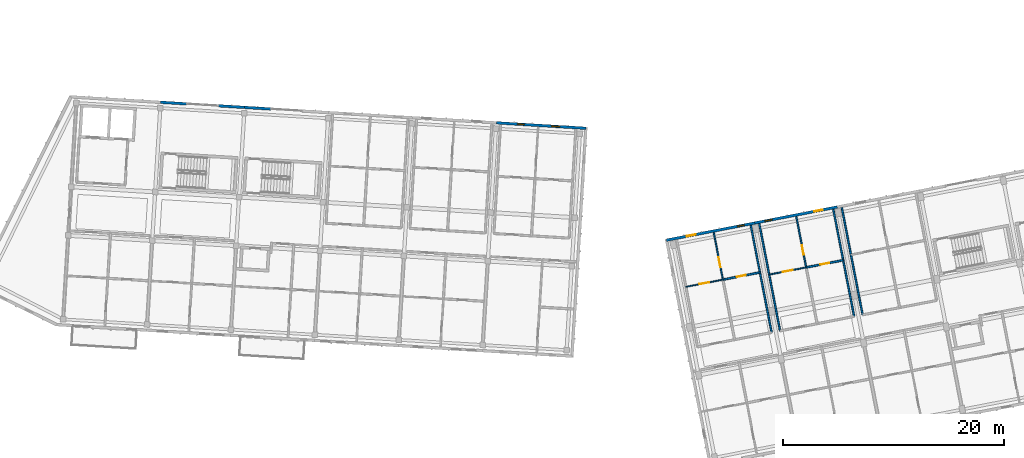
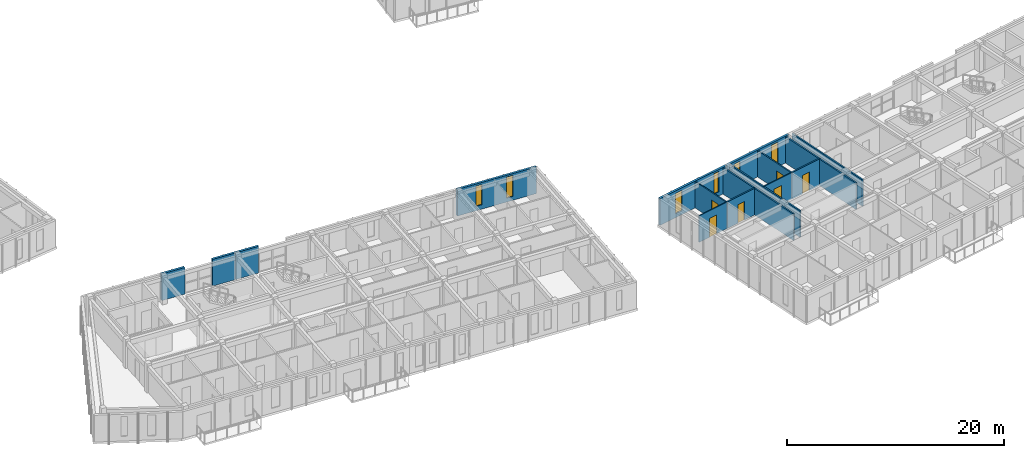
# One storey, part 29 of 66: 16 walls, 6 doors, 6 windows, 12 openings.
"""IFC4 building model written with IfcOpenShell, lengths in metres."""

from ifc_helpers import new_model, si_unit, direction, frame, frame_2d, origin, place, context, subcontext, project, spatial, rectangle, extrude, material, layer, layer_set, type_object, element, fill, save


model = new_model("IFC4")

# Units and contexts
model_context = context("Model", 3, precision=1e-05, world=origin(), true_north=direction((0.0, 1.0)))
body_context = subcontext(model_context, "Body", "Model", "MODEL_VIEW")
ifc_project = project(units=[si_unit("LENGTHUNIT", "METRE"), si_unit("AREAUNIT", "SQUARE_METRE"), si_unit("VOLUMEUNIT", "CUBIC_METRE"), si_unit("PLANEANGLEUNIT", "RADIAN"), si_unit("MASSUNIT", "GRAM", prefix="KILO")], contexts=[model_context])

# Site, building, storey
site_placement = place(None, origin())
site = spatial("IfcSite", under=ifc_project, at=site_placement, CompositionType="ELEMENT")
building_placement = place(site_placement, origin())
building = spatial("IfcBuilding", under=site, at=building_placement, Name="Kestramere Prow Commons", CompositionType="ELEMENT")
storey_placement = place(building_placement, frame((0.0, 0.0, 14.89990234375)))
storey = spatial("IfcBuildingStorey", under=building, at=storey_placement, Name="L04", CompositionType="ELEMENT", Elevation=14.89990234375)

# Walls
ifc_material_1 = material(Name="Fluoropolymer Standing-Seam Zinc-Aluminium Cladding", Category="aluminium")
ifc_layer_1 = layer(ifc_material_1, 0.239990234375)
ifc_layer_set_1 = layer_set([ifc_layer_1], Name="Fluoropolymer Standing-Seam Zinc-Aluminium Cladding")
wall_type_1 = type_object("IfcWallType", Name="EW-SEAM-240", PredefinedType="SOLIDWALL", material=ifc_layer_set_1)
wall_1_placement = place(storey_placement, frame((68.314453125, 66.12353515625, 0.0), z_axis=(0.0, 0.0, 1.0), x_axis=(0.998134103342, -0.061059902923, 0.0)))
element("IfcWall", 1, at=wall_1_placement, inside=storey, type_object=wall_type_1, Name="Block C L04 North Standing-Seam Pier 2L", PredefinedType="SOLIDWALL", context=body_context, shape_type="SweptSolid", body=[
    extrude(rectangle(XDim=2.375, YDim=0.239990234375, at=frame_2d((1.1875, 0.0))), origin(), (0.0, 0.0, 1.0), 3.0),
])
wall_2_placement = place(storey_placement, frame((73.52978515625, 65.804443359375, 0.0), z_axis=(0.0, 0.0, 1.0), x_axis=(0.998133720034, -0.061066168473, 0.0)))
element("IfcWall", 2, at=wall_2_placement, inside=storey, type_object=wall_type_1, Name="Block C L04 North Standing-Seam Pier 2R", PredefinedType="SOLIDWALL", context=body_context, shape_type="SweptSolid", body=[
    extrude(rectangle(XDim=2.374755859375, YDim=0.239990234375, at=frame_2d((1.1875, 0.0))), origin(), (0.0, 0.0, 1.0), 3.0),
])
wall_3_placement = place(storey_placement, frame((75.900146484375, 65.659423828125, 0.0), z_axis=(0.0, 0.0, 1.0), x_axis=(0.998140363035, -0.06095749076, 0.0)))
element("IfcWall", 3, at=wall_3_placement, inside=storey, type_object=wall_type_1, Name="Block C L04 North Standing-Seam Pier 3L", PredefinedType="SOLIDWALL", context=body_context, shape_type="SweptSolid", body=[
    extrude(rectangle(XDim=2.375, YDim=0.239990234375, at=frame_2d((1.1875, 0.0))), origin(), (0.0, 0.0, 1.0), 3.0),
])

# Wall, openings, windows
wall_4_placement = place(storey_placement, frame((98.65771484375, 64.267578125, 0.0), z_axis=(0.0, 0.0, 1.0), x_axis=(0.998134248939, -0.061057522844, 0.0)))
wall_4 = element("IfcWall", 4, at=wall_4_placement, inside=storey, type_object=wall_type_1, Name="Block C L04 North Standing-Seam Wall 6", PredefinedType="SOLIDWALL", context=body_context, shape_type="SweptSolid", body=[
    extrude(rectangle(XDim=8.125, YDim=0.239990234375, at=frame_2d((4.0625, 0.0))), origin(), (0.0, 0.0, 1.0), 3.0),
])
opening_1_placement = place(wall_4_placement, frame((1.90087890625, 0.0, 0.5)))
opening_1 = element("IfcOpeningElement", 5, at=opening_1_placement, cuts=wall_4, Name="Opening WN-03", PredefinedType="OPENING", context=body_context, shape_type="SweptSolid", body=[
    extrude(rectangle(XDim=0.6201171875, YDim=2.280029296875, at=frame_2d((0.31005859375, 1.14013671875))), frame((0.0, 0.135009765625, 0.0), z_axis=(0.0, -1.0, 0.0), x_axis=(1.0, 0.0, 0.0)), (0.0, 0.0, 1.0), 0.27001953125),
])
opening_2_placement = place(wall_4_placement, frame((5.029541015625, 0.0, 0.43994140625)))
opening_2 = element("IfcOpeningElement", 6, at=opening_2_placement, cuts=wall_4, Name="Opening WN-07", PredefinedType="OPENING", context=body_context, shape_type="SweptSolid", body=[
    extrude(rectangle(XDim=0.699951171875, YDim=2.360107421875, at=frame_2d((0.35009765625, 1.18017578125))), frame((0.0, 0.135009765625, 0.0), z_axis=(0.0, -1.0, 0.0), x_axis=(1.0, 0.0, 0.0)), (0.0, 0.0, 1.0), 0.27001953125),
])
ifc_material_2 = material(Name="Low-E Laminated Double Glazing", Category="glass")
window_type_1 = type_object("IfcWindowType", Name="WN-NAR-620A", PartitioningType="SINGLE_PANEL", PredefinedType="WINDOW", material=ifc_material_2)
window_1_placement = place(opening_1_placement, origin())
window_1 = element("IfcWindow", 7, at=window_1_placement, inside=storey, type_object=window_type_1, Name="WN-C-L04-N-5-0", OverallHeight=2.280029296875, OverallWidth=0.6201171875, PartitioningType="SINGLE_PANEL", PredefinedType="WINDOW", context=body_context, shape_type="SweptSolid", body=[
    extrude(rectangle(XDim=0.6201171875, YDim=2.280029296875, at=frame_2d((0.31005859375, 1.14013671875))), frame((0.0, 0.030029296875, 0.0), z_axis=(0.0, -1.0, 0.0), x_axis=(1.0, 0.0, 0.0)), (0.0, 0.0, 1.0), 0.06005859375),
])
fill(opening_1, window_1)
window_type_2 = type_object("IfcWindowType", Name="WN-NAR-700A", PartitioningType="SINGLE_PANEL", PredefinedType="WINDOW", material=ifc_material_2)
window_2_placement = place(opening_2_placement, origin())
window_2 = element("IfcWindow", 8, at=window_2_placement, inside=storey, type_object=window_type_2, Name="WN-C-L04-N-5-1", OverallHeight=2.360107421875, OverallWidth=0.699951171875, PartitioningType="SINGLE_PANEL", PredefinedType="WINDOW", context=body_context, shape_type="SweptSolid", body=[
    extrude(rectangle(XDim=0.699951171875, YDim=2.360107421875, at=frame_2d((0.35009765625, 1.18017578125))), frame((0.0, 0.030029296875, 0.0), z_axis=(0.0, -1.0, 0.0), x_axis=(1.0, 0.0, 0.0)), (0.0, 0.0, 1.0), 0.06005859375),
])
fill(opening_2, window_2)

wall_5_placement = place(storey_placement, frame((114.044677734375, 53.655029296875, 0.0), z_axis=(0.0, 0.0, 1.0), x_axis=(0.981627273155, 0.190808533872, 0.0)))
wall_5 = element("IfcWall", 9, at=wall_5_placement, inside=storey, type_object=wall_type_1, Name="Block D L04 North Standing-Seam Wall 1", PredefinedType="SOLIDWALL", context=body_context, shape_type="SweptSolid", body=[
    extrude(rectangle(XDim=8.124755859375, YDim=0.239990234375, at=frame_2d((4.0625, 0.0))), origin(), (0.0, 0.0, 1.0), 3.0),
])
opening_3_placement = place(wall_5_placement, frame((1.84912109375, 0.0, 0.43994140625)))
opening_3 = element("IfcOpeningElement", 10, at=opening_3_placement, cuts=wall_5, Name="Opening WN-14", PredefinedType="OPENING", context=body_context, shape_type="SweptSolid", body=[
    extrude(rectangle(XDim=0.840087890625, YDim=2.280029296875, at=frame_2d((0.419921875, 1.14013671875))), frame((0.0, 0.135009765625, 0.0), z_axis=(0.0, -1.0, 0.0), x_axis=(1.0, 0.0, 0.0)), (0.0, 0.0, 1.0), 0.27001953125),
])
opening_4_placement = place(wall_5_placement, frame((6.5380859375, 0.0, 0.5)))
opening_4 = element("IfcOpeningElement", 11, at=opening_4_placement, cuts=wall_5, Name="Opening WN-03", PredefinedType="OPENING", context=body_context, shape_type="SweptSolid", body=[
    extrude(rectangle(XDim=0.6201171875, YDim=2.280029296875, at=frame_2d((0.31005859375, 1.14013671875))), frame((0.0, 0.135009765625, 0.0), z_axis=(0.0, -1.0, 0.0), x_axis=(1.0, 0.0, 0.0)), (0.0, 0.0, 1.0), 0.27001953125),
])
window_3_placement = place(opening_4_placement, origin())
window_3 = element("IfcWindow", 12, at=window_3_placement, inside=storey, type_object=window_type_1, Name="WN-D-L04-N-0-1", OverallHeight=2.280029296875, OverallWidth=0.6201171875, PartitioningType="SINGLE_PANEL", PredefinedType="WINDOW", context=body_context, shape_type="SweptSolid", body=[
    extrude(rectangle(XDim=0.6201171875, YDim=2.280029296875, at=frame_2d((0.31005859375, 1.14013671875))), frame((0.0, 0.030029296875, 0.0), z_axis=(0.0, -1.0, 0.0), x_axis=(1.0, 0.0, 0.0)), (0.0, 0.0, 1.0), 0.06005859375),
])
fill(opening_4, window_3)
window_type_3 = type_object("IfcWindowType", Name="WN-NAR-840A", PartitioningType="DOUBLE_PANEL_VERTICAL", PredefinedType="WINDOW", material=ifc_material_2)
window_4_placement = place(opening_3_placement, origin())
window_4 = element("IfcWindow", 13, at=window_4_placement, inside=storey, type_object=window_type_3, Name="WN-D-L04-N-0-0", OverallHeight=2.280029296875, OverallWidth=0.840087890625, PartitioningType="SINGLE_PANEL", PredefinedType="WINDOW", context=body_context, shape_type="SweptSolid", body=[
    extrude(rectangle(XDim=0.840087890625, YDim=2.280029296875, at=frame_2d((0.419921875, 1.14013671875))), frame((0.0, 0.030029296875, 0.0), z_axis=(0.0, -1.0, 0.0), x_axis=(1.0, 0.0, 0.0)), (0.0, 0.0, 1.0), 0.06005859375),
])
fill(opening_3, window_4)

wall_6_placement = place(storey_placement, frame((122.020263671875, 55.205322265625, 0.0), z_axis=(0.0, 0.0, 1.0), x_axis=(0.981626422232, 0.190812911449, 0.0)))
wall_6 = element("IfcWall", 14, at=wall_6_placement, inside=storey, type_object=wall_type_1, Name="Block D L04 North Standing-Seam Wall 2", PredefinedType="SOLIDWALL", context=body_context, shape_type="SweptSolid", body=[
    extrude(rectangle(XDim=7.60009765625, YDim=0.239990234375, at=frame_2d((3.800048828125, 0.0))), origin(), (0.0, 0.0, 1.0), 3.0),
])
opening_5_placement = place(wall_6_placement, frame((0.921630859375, 0.0, 0.5)))
opening_5 = element("IfcOpeningElement", 15, at=opening_5_placement, cuts=wall_6, Name="Opening WN-06", PredefinedType="OPENING", context=body_context, shape_type="SweptSolid", body=[
    extrude(rectangle(XDim=0.679931640625, YDim=2.239990234375, at=frame_2d((0.33984375, 1.1201171875))), frame((0.0, 0.135009765625, 0.0), z_axis=(0.0, -1.0, 0.0), x_axis=(1.0, 0.0, 0.0)), (0.0, 0.0, 1.0), 0.27001953125),
])
opening_6_placement = place(wall_6_placement, frame((5.47607421875, 0.0, 0.43994140625)))
opening_6 = element("IfcOpeningElement", 16, at=opening_6_placement, cuts=wall_6, Name="Opening WN-10", PredefinedType="OPENING", context=body_context, shape_type="SweptSolid", body=[
    extrude(rectangle(XDim=0.760009765625, YDim=2.340087890625, at=frame_2d((0.3798828125, 1.169921875))), frame((0.0, 0.135009765625, 0.0), z_axis=(0.0, -1.0, 0.0), x_axis=(1.0, 0.0, 0.0)), (0.0, 0.0, 1.0), 0.27001953125),
])
window_type_4 = type_object("IfcWindowType", Name="WN-NAR-680A", PartitioningType="SINGLE_PANEL", PredefinedType="WINDOW", material=ifc_material_2)
window_5_placement = place(opening_5_placement, origin())
window_5 = element("IfcWindow", 17, at=window_5_placement, inside=storey, type_object=window_type_4, Name="WN-D-L04-N-1-0", OverallHeight=2.239990234375, OverallWidth=0.679931640625, PartitioningType="SINGLE_PANEL", PredefinedType="WINDOW", context=body_context, shape_type="SweptSolid", body=[
    extrude(rectangle(XDim=0.679931640625, YDim=2.239990234375, at=frame_2d((0.33984375, 1.1201171875))), frame((0.0, 0.030029296875, 0.0), z_axis=(0.0, -1.0, 0.0), x_axis=(1.0, 0.0, 0.0)), (0.0, 0.0, 1.0), 0.06005859375),
])
fill(opening_5, window_5)
window_type_5 = type_object("IfcWindowType", Name="WN-NAR-760A", PartitioningType="SINGLE_PANEL", PredefinedType="WINDOW", material=ifc_material_2)
window_6_placement = place(opening_6_placement, origin())
window_6 = element("IfcWindow", 18, at=window_6_placement, inside=storey, type_object=window_type_5, Name="WN-D-L04-N-1-1", OverallHeight=2.340087890625, OverallWidth=0.760009765625, PartitioningType="SINGLE_PANEL", PredefinedType="WINDOW", context=body_context, shape_type="SweptSolid", body=[
    extrude(rectangle(XDim=0.760009765625, YDim=2.340087890625, at=frame_2d((0.3798828125, 1.169921875))), frame((0.0, 0.030029296875, 0.0), z_axis=(0.0, -1.0, 0.0), x_axis=(1.0, 0.0, 0.0)), (0.0, 0.0, 1.0), 0.06005859375),
])
fill(opening_6, window_6)

# Wall, opening, door
ifc_material_3 = material(Name="Gypsum Acoustic Drywall")
ifc_layer_2 = layer(ifc_material_3, 0.10009765625)
ifc_layer_set_2 = layer_set([ifc_layer_2], Name="Gypsum Acoustic Drywall")
wall_type_2 = type_object("IfcWallType", Name="W-PART-100", PredefinedType="PARTITIONING", material=ifc_layer_set_2)
wall_7_placement = place(storey_placement, frame((115.796630859375, 49.436767578125, 0.0), z_axis=(0.0, 0.0, 1.0), x_axis=(0.981615762271, 0.19086774285, 0.0)))
wall_7 = element("IfcWall", 19, at=wall_7_placement, inside=storey, type_object=wall_type_2, Name="Interior Partition PW-D-L04-MIDN1-0", PredefinedType="PARTITIONING", context=body_context, shape_type="SweptSolid", body=[
    extrude(rectangle(XDim=3.41015625, YDim=0.10009765625, at=frame_2d((1.705078125, 0.0))), origin(), (0.0, 0.0, 1.0), 2.97021484375),
])
opening_7_placement = place(wall_7_placement, frame((1.2548828125, 0.0, 0.0)))
opening_7 = element("IfcOpeningElement", 20, at=opening_7_placement, cuts=wall_7, Name="Opening ID-10", PredefinedType="OPENING", context=body_context, shape_type="SweptSolid", body=[
    extrude(rectangle(XDim=0.8798828125, YDim=2.10009765625, at=frame_2d((0.43994140625, 1.050048828125))), frame((0.0, 0.06494140625, 0.0), z_axis=(0.0, -1.0, 0.0), x_axis=(1.0, 0.0, 0.0)), (0.0, 0.0, 1.0), 0.130126953125),
])
ifc_material_4 = material(Name="Engineered Timber Bedroom Door", Category="wood")
door_type_1 = type_object("IfcDoorType", Name="D-RM-03", OperationType="NOTDEFINED", PredefinedType="DOOR", material=ifc_material_4)
door_1_placement = place(opening_7_placement, origin())
door_1 = element("IfcDoor", 21, at=door_1_placement, inside=storey, type_object=door_type_1, Name="Interior Door DR-D-L04-KL-N0", OperationType="SINGLE_SWING_LEFT", OverallHeight=2.10009765625, OverallWidth=0.8798828125, PredefinedType="DOOR", context=body_context, shape_type="SweptSolid", body=[
    extrude(rectangle(XDim=0.8798828125, YDim=2.10009765625, at=frame_2d((0.43994140625, 1.050048828125))), frame((0.0, 0.02490234375, 0.0), z_axis=(0.0, -1.0, 0.0), x_axis=(1.0, 0.0, 0.0)), (0.0, 0.0, 1.0), 0.050048828125),
])
fill(opening_7, door_1)

ifc_layer_3 = layer(ifc_material_3, 0.110107421875)
ifc_layer_set_3 = layer_set([ifc_layer_3], Name="Gypsum Acoustic Drywall")
wall_type_3 = type_object("IfcWallType", Name="W-PART-110", PredefinedType="PARTITIONING", material=ifc_layer_set_3)
wall_8_placement = place(storey_placement, frame((123.32373046875, 50.54345703125, 0.0), z_axis=(0.0, 0.0, 1.0), x_axis=(0.981629173664, 0.190798756314, 0.0)))
wall_8 = element("IfcWall", 22, at=wall_8_placement, inside=storey, type_object=wall_type_3, Name="Interior Partition PW-D-L04-MIDN1-1", PredefinedType="PARTITIONING", context=body_context, shape_type="SweptSolid", body=[
    extrude(rectangle(XDim=3.41015625, YDim=0.110107421875, at=frame_2d((1.705078125, 0.0))), origin(), (0.0, 0.0, 1.0), 2.97021484375),
])
opening_8_placement = place(wall_8_placement, frame((1.2548828125, 0.0, 0.0)))
opening_8 = element("IfcOpeningElement", 23, at=opening_8_placement, cuts=wall_8, Name="Opening ID-08", PredefinedType="OPENING", context=body_context, shape_type="SweptSolid", body=[
    extrude(rectangle(XDim=0.89990234375, YDim=2.10009765625, at=frame_2d((0.449951171875, 1.050048828125))), frame((0.0, 0.070068359375, 0.0), z_axis=(0.0, -1.0, 0.0), x_axis=(1.0, 0.0, 0.0)), (0.0, 0.0, 1.0), 0.14013671875),
])
ifc_material_5 = material(Name="Engineered Timber Flush Door", Category="wood")
door_type_2 = type_object("IfcDoorType", Name="D-RM-01", OperationType="NOTDEFINED", PredefinedType="DOOR", material=ifc_material_5)
door_2_placement = place(opening_8_placement, origin())
door_2 = element("IfcDoor", 24, at=door_2_placement, inside=storey, type_object=door_type_2, Name="Interior Door DR-D-L04-KL-N1", OperationType="SINGLE_SWING_LEFT", OverallHeight=2.10009765625, OverallWidth=0.89990234375, PredefinedType="DOOR", context=body_context, shape_type="SweptSolid", body=[
    extrude(rectangle(XDim=0.89990234375, YDim=2.10009765625, at=frame_2d((0.449951171875, 1.050048828125))), frame((0.0, 0.02490234375, 0.0), z_axis=(0.0, -1.0, 0.0), x_axis=(1.0, 0.0, 0.0)), (0.0, 0.0, 1.0), 0.050048828125),
])
fill(opening_8, door_2)

ifc_material_6 = material(Name="Lightweight Blockwork and Plaster", Category="masonry")
ifc_layer_4 = layer(ifc_material_6, 0.1201171875)
ifc_layer_set_4 = layer_set([ifc_layer_4], Name="Lightweight Blockwork and Plaster")
wall_type_4 = type_object("IfcWallType", Name="W-PART-120", PredefinedType="PARTITIONING", material=ifc_layer_set_4)
wall_9_placement = place(storey_placement, frame((119.14404296875, 50.087646484375, 0.0), z_axis=(0.0, 0.0, 1.0), x_axis=(-0.190812443151, 0.981626513262, 0.0)))
wall_9 = element("IfcWall", 25, at=wall_9_placement, inside=storey, type_object=wall_type_4, Name="Interior Partition PW-D-L04-LB-N0", PredefinedType="PARTITIONING", context=body_context, shape_type="SweptSolid", body=[
    extrude(rectangle(XDim=4.340087890625, YDim=0.1201171875, at=frame_2d((2.169921875, 0.0))), origin(), (0.0, 0.0, 1.0), 2.97021484375),
])
opening_9_placement = place(wall_9_placement, frame((1.14990234375, 0.0, 0.0)))
opening_9 = element("IfcOpeningElement", 26, at=opening_9_placement, cuts=wall_9, Name="Opening ID-08", PredefinedType="OPENING", context=body_context, shape_type="SweptSolid", body=[
    extrude(rectangle(XDim=0.89990234375, YDim=2.10009765625, at=frame_2d((0.449951171875, 1.050048828125))), frame((0.0, 0.074951171875, 0.0), z_axis=(0.0, -1.0, 0.0), x_axis=(1.0, 0.0, 0.0)), (0.0, 0.0, 1.0), 0.150146484375),
])
door_3_placement = place(opening_9_placement, origin())
door_3 = element("IfcDoor", 27, at=door_3_placement, inside=storey, type_object=door_type_2, Name="Interior Door DR-D-L04-BED-N0", OperationType="SINGLE_SWING_LEFT", OverallHeight=2.10009765625, OverallWidth=0.89990234375, PredefinedType="DOOR", context=body_context, shape_type="SweptSolid", body=[
    extrude(rectangle(XDim=0.89990234375, YDim=2.10009765625, at=frame_2d((0.449951171875, 1.050048828125))), frame((0.0, 0.02490234375, 0.0), z_axis=(0.0, -1.0, 0.0), x_axis=(1.0, 0.0, 0.0)), (0.0, 0.0, 1.0), 0.050048828125),
])
fill(opening_9, door_3)

ifc_layer_5 = layer(ifc_material_6, 0.1298828125)
ifc_layer_set_5 = layer_set([ifc_layer_5], Name="Lightweight Blockwork and Plaster")
wall_type_5 = type_object("IfcWallType", Name="W-PART-130", PredefinedType="PARTITIONING", material=ifc_layer_set_5)
wall_10_placement = place(storey_placement, frame((126.671142578125, 51.194091796875, 0.0), z_axis=(0.0, 0.0, 1.0), x_axis=(-0.190787451574, 0.981631370893, 0.0)))
wall_10 = element("IfcWall", 28, at=wall_10_placement, inside=storey, type_object=wall_type_5, Name="Interior Partition PW-D-L04-LB-N1", PredefinedType="PARTITIONING", context=body_context, shape_type="SweptSolid", body=[
    extrude(rectangle(XDim=4.68994140625, YDim=0.1298828125, at=frame_2d((2.344970703125, 0.0))), origin(), (0.0, 0.0, 1.0), 2.97021484375),
])
opening_10_placement = place(wall_10_placement, frame((1.14990234375, 0.0, 0.0)))
opening_10 = element("IfcOpeningElement", 29, at=opening_10_placement, cuts=wall_10, Name="Opening ID-10", PredefinedType="OPENING", context=body_context, shape_type="SweptSolid", body=[
    extrude(rectangle(XDim=0.8798828125, YDim=2.10009765625, at=frame_2d((0.43994140625, 1.050048828125))), frame((0.0, 0.079833984375, 0.0), z_axis=(0.0, -1.0, 0.0), x_axis=(1.0, 0.0, 0.0)), (0.0, 0.0, 1.0), 0.159912109375),
])
door_4_placement = place(opening_10_placement, origin())
door_4 = element("IfcDoor", 30, at=door_4_placement, inside=storey, type_object=door_type_1, Name="Interior Door DR-D-L04-BED-N1", OperationType="SINGLE_SWING_LEFT", OverallHeight=2.10009765625, OverallWidth=0.8798828125, PredefinedType="DOOR", context=body_context, shape_type="SweptSolid", body=[
    extrude(rectangle(XDim=0.8798828125, YDim=2.10009765625, at=frame_2d((0.43994140625, 1.050048828125))), frame((0.0, 0.02490234375, 0.0), z_axis=(0.0, -1.0, 0.0), x_axis=(1.0, 0.0, 0.0)), (0.0, 0.0, 1.0), 0.050048828125),
])
fill(opening_10, door_4)

# Walls
ifc_material_7 = material(Name="Masonry Compartment Wall", Category="masonry")
ifc_layer_6 = layer(ifc_material_7, 0.14990234375)
ifc_layer_set_6 = layer_set([ifc_layer_6], Name="Masonry Compartment Wall")
wall_type_6 = type_object("IfcWallType", Name="W-PART-150", PredefinedType="PARTITIONING", material=ifc_layer_set_6)
wall_11_placement = place(storey_placement, frame((123.546630859375, 45.309814453125, 0.0), z_axis=(0.0, 0.0, 1.0), x_axis=(-0.190809410863, 0.981627102685, 0.0)))
element("IfcWall", 31, at=wall_11_placement, inside=storey, type_object=wall_type_6, Name="Interior Partition PW-D-L04-NWR-0", PredefinedType="PARTITIONING", context=body_context, shape_type="SweptSolid", body=[
    extrude(rectangle(XDim=9.8701171875, YDim=0.14990234375, at=frame_2d((4.93505859375, 0.0))), origin(), (0.0, 0.0, 1.0), 2.97021484375),
])
wall_12_placement = place(storey_placement, frame((124.312255859375, 45.458740234375, 0.0), z_axis=(0.0, 0.0, 1.0), x_axis=(-0.190814044018, 0.981626202078, 0.0)))
element("IfcWall", 32, at=wall_12_placement, inside=storey, type_object=wall_type_6, Name="Interior Partition PW-D-L04-NWL-1", PredefinedType="PARTITIONING", context=body_context, shape_type="SweptSolid", body=[
    extrude(rectangle(XDim=9.869873046875, YDim=0.14990234375, at=frame_2d((4.93505859375, 0.0))), origin(), (0.0, 0.0, 1.0), 2.97021484375),
])
for number, where, z_axis, x_axis, name in (
    (33, (131.0068359375, 46.760009765625, 0.0), (0.0, 0.0, 1.0), (-0.190809410863, 0.981627102685, 0.0), "Interior Partition PW-D-L04-NWR-1"),
    (34, (131.7724609375, 46.90869140625, 0.0), (0.0, 0.0, 1.0), (-0.1907855758, 0.981631735462, 0.0), "Interior Partition PW-D-L04-NWL-2"),
):
    element("IfcWall", number, at=place(storey_placement, frame(where, z_axis=z_axis, x_axis=x_axis)), inside=storey, type_object=wall_type_6, Name=name, PredefinedType="PARTITIONING", context=body_context, shape_type="SweptSolid", body=[
        extrude(rectangle(XDim=9.8701171875, YDim=0.14990234375, at=frame_2d((4.93505859375, 0.0))), origin(), (0.0, 0.0, 1.0), 2.97021484375),
    ])

# Wall, opening, door
ifc_material_8 = material(Name="Waterproof Sanitary Masonry Wall", Category="masonry")
ifc_layer_7 = layer(ifc_material_8, 0.1650390625)
ifc_layer_set_7 = layer_set([ifc_layer_7], Name="Waterproof Sanitary Masonry Wall")
wall_type_7 = type_object("IfcWallType", Name="W-PLUMB-150", PredefinedType="PLUMBINGWALL", material=ifc_layer_set_7)
wall_13_placement = place(storey_placement, frame((119.14404296875, 50.087646484375, 0.0), z_axis=(0.0, 0.0, 1.0), x_axis=(0.981629173664, 0.190798756314, 0.0)))
wall_13 = element("IfcWall", 35, at=wall_13_placement, inside=storey, type_object=wall_type_7, Name="Interior Partition PW-D-L04-MIDN2-0", PredefinedType="PLUMBINGWALL", context=body_context, shape_type="SweptSolid", body=[
    extrude(rectangle(XDim=3.41015625, YDim=0.1650390625, at=frame_2d((1.705078125, 0.0))), origin(), (0.0, 0.0, 1.0), 2.97021484375),
])
opening_11_placement = place(wall_13_placement, frame((1.294921875, 0.0, 0.0)))
opening_11 = element("IfcOpeningElement", 36, at=opening_11_placement, cuts=wall_13, Name="Opening ID-11", PredefinedType="OPENING", context=body_context, shape_type="SweptSolid", body=[
    extrude(rectangle(XDim=0.820068359375, YDim=2.080078125, at=frame_2d((0.41015625, 1.0400390625))), frame((0.0, 0.097412109375, 0.0), z_axis=(0.0, -1.0, 0.0), x_axis=(1.0, 0.0, 0.0)), (0.0, 0.0, 1.0), 0.195068359375),
])
ifc_material_9 = material(Name="Moisture-Resistant Timber Bathroom Door", Category="wood")
door_type_3 = type_object("IfcDoorType", Name="D-BT-01", OperationType="NOTDEFINED", PredefinedType="DOOR", material=ifc_material_9)
door_5_placement = place(opening_11_placement, origin())
door_5 = element("IfcDoor", 37, at=door_5_placement, inside=storey, type_object=door_type_3, Name="Interior Door DR-D-L04-BTH-N0", OperationType="SINGLE_SWING_RIGHT", OverallHeight=2.080078125, OverallWidth=0.820068359375, PredefinedType="DOOR", context=body_context, shape_type="SweptSolid", body=[
    extrude(rectangle(XDim=0.820068359375, YDim=2.080078125, at=frame_2d((0.41015625, 1.0400390625))), frame((0.0, 0.02490234375, 0.0), z_axis=(0.0, -1.0, 0.0), x_axis=(1.0, 0.0, 0.0)), (0.0, 0.0, 1.0), 0.050048828125),
])
fill(opening_11, door_5)

wall_14_placement = place(storey_placement, frame((126.671142578125, 51.194091796875, 0.0), z_axis=(0.0, 0.0, 1.0), x_axis=(0.981629173664, 0.190798756314, 0.0)))
wall_14 = element("IfcWall", 38, at=wall_14_placement, inside=storey, type_object=wall_type_7, Name="Interior Partition PW-D-L04-MIDN2-1", PredefinedType="PLUMBINGWALL", context=body_context, shape_type="SweptSolid", body=[
    extrude(rectangle(XDim=3.41015625, YDim=0.1650390625, at=frame_2d((1.705078125, 0.0))), origin(), (0.0, 0.0, 1.0), 2.97021484375),
])
opening_12_placement = place(wall_14_placement, frame((1.294921875, 0.0, 0.0)))
opening_12 = element("IfcOpeningElement", 39, at=opening_12_placement, cuts=wall_14, Name="Opening ID-11", PredefinedType="OPENING", context=body_context, shape_type="SweptSolid", body=[
    extrude(rectangle(XDim=0.820068359375, YDim=2.080078125, at=frame_2d((0.41015625, 1.0400390625))), frame((0.0, 0.097412109375, 0.0), z_axis=(0.0, -1.0, 0.0), x_axis=(1.0, 0.0, 0.0)), (0.0, 0.0, 1.0), 0.195068359375),
])
door_6_placement = place(opening_12_placement, origin())
door_6 = element("IfcDoor", 40, at=door_6_placement, inside=storey, type_object=door_type_3, Name="Interior Door DR-D-L04-BTH-N1", OperationType="SINGLE_SWING_RIGHT", OverallHeight=2.080078125, OverallWidth=0.820068359375, PredefinedType="DOOR", context=body_context, shape_type="SweptSolid", body=[
    extrude(rectangle(XDim=0.820068359375, YDim=2.080078125, at=frame_2d((0.41015625, 1.0400390625))), frame((0.0, 0.02490234375, 0.0), z_axis=(0.0, -1.0, 0.0), x_axis=(1.0, 0.0, 0.0)), (0.0, 0.0, 1.0), 0.050048828125),
])
fill(opening_12, door_6)

save(model, "model.ifc")
